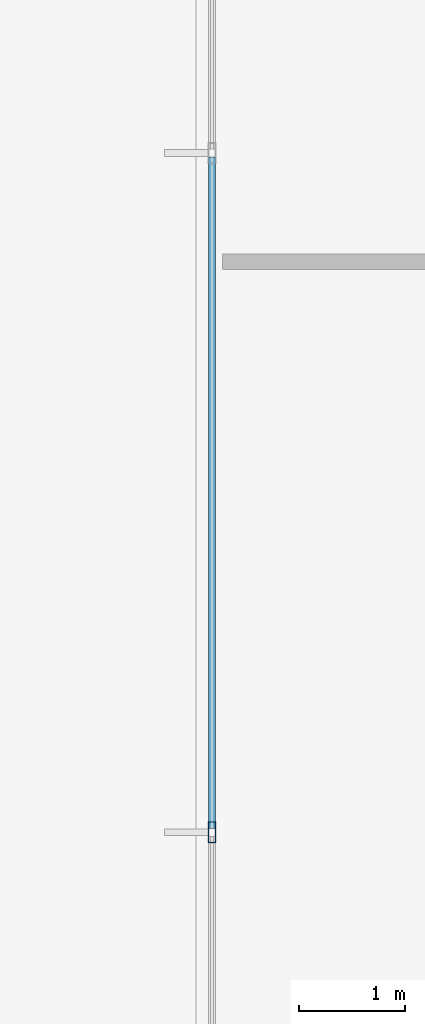
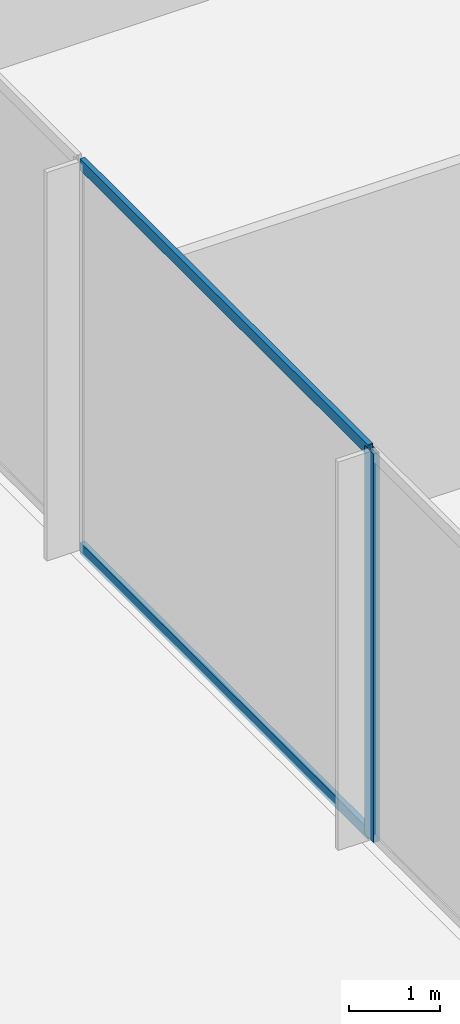
# One storey, part 9 of 38: 3 members, 1 element without a shape of its own.
"""IFC4 building model written with IfcOpenShell, lengths in metres."""

from ifc_helpers import new_model, si_unit, direction, frame, origin, origin_2d, place, context, subcontext, project, spatial, hollow_rectangle, extrude, material, layer, layer_set, material_profile, profile_set, type_object, element, aggregate, save


model = new_model("IFC4")

# Units and contexts
model_context = context("Model", 3, precision=1e-05, world=origin(), true_north=direction((0.0, 1.0)))
body_context = subcontext(model_context, "Body", "Model", "MODEL_VIEW")
ifc_project = project(units=[si_unit("LENGTHUNIT", "METRE"), si_unit("AREAUNIT", "SQUARE_METRE"), si_unit("VOLUMEUNIT", "CUBIC_METRE"), si_unit("PLANEANGLEUNIT", "RADIAN"), si_unit("MASSUNIT", "GRAM", prefix="KILO")], contexts=[model_context])

# Site, building, storey
site_placement = place(None, origin())
site = spatial("IfcSite", under=ifc_project, at=site_placement, CompositionType="ELEMENT")
building_placement = place(site_placement, origin())
building = spatial("IfcBuilding", under=site, at=building_placement, Name="Orvanel Arch Residences", CompositionType="ELEMENT")
storey_placement = place(building_placement, origin())
storey = spatial("IfcBuildingStorey", under=building, at=storey_placement, Name="L00", CompositionType="ELEMENT", Elevation=0.0)

# Curtain wall, members
ifc_material = material(Name="Bronze-anodised aluminium AA6063-T6", Category="aluminium")
ifc_layer = layer(ifc_material, 0.199951171875)
ifc_layer_set = layer_set([ifc_layer], Name="Bronze-anodised aluminium AA6063-T6")
curtain_wall_type = type_object("IfcCurtainWallType", Name="CW1-POD-SYS", PredefinedType="NOTDEFINED", material=ifc_layer_set)
curtain_wall_placement = place(storey_placement, origin())
curtain_wall = element("IfcCurtainWall", 1, at=curtain_wall_placement, inside=storey, type_object=curtain_wall_type, Name="L00 CW1-POD-SYS Unitised Curtain Wall", PredefinedType="NOTDEFINED")
ifc_material_profile_1 = material_profile(ifc_material, hollow_rectangle(XDim=0.074951171875, YDim=0.199951171875, WallThickness=0.0048828125, at=origin_2d()), Name="ALU200x75x5")
ifc_profile_set_1 = profile_set([ifc_material_profile_1], Name="Bronze-anodised aluminium AA6063-T6")
member_type_1 = type_object("IfcMemberType", Name="MUL-200x75", PredefinedType="MULLION", material=ifc_profile_set_1)
member_1_placement = place(storey_placement, frame((1.550048828125, 21.111328125, 0.0), z_axis=(0.0, 0.0, 1.0), x_axis=(1.0, 0.0, 0.0)))
member_1 = element("IfcMember", 2, at=member_1_placement, type_object=member_type_1, Name="CW-S1 mullion 6", PredefinedType="MULLION", context=body_context, shape_type="SweptSolid", body=[
    extrude(hollow_rectangle(XDim=0.074951171875, YDim=0.199951171875, WallThickness=0.0048828125, at=origin_2d()), origin(), (0.0, 0.0, 1.0), 5.219970703125),
])
ifc_material_profile_2 = material_profile(ifc_material, hollow_rectangle(XDim=0.06494140625, YDim=0.14990234375, WallThickness=0.00390625, at=origin_2d()), Name="ALU150x65x4")
ifc_profile_set_2 = profile_set([ifc_material_profile_2], Name="Bronze-anodised aluminium AA6063-T6")
member_type_2 = type_object("IfcMemberType", Name="TRN-150x65", PredefinedType="USERDEFINED", material=ifc_profile_set_2)
member_2_placement = place(storey_placement, frame((1.550048828125, 27.487548828125, 0.032470703125), z_axis=(0.0, -1.0, 0.0), x_axis=(1.0, 0.0, 0.0)))
member_2 = element("IfcMember", 3, at=member_2_placement, type_object=member_type_2, Name="CW-S1 transom 5.1", ObjectType="TRANSOM", PredefinedType="USERDEFINED", context=body_context, shape_type="SweptSolid", body=[
    extrude(hollow_rectangle(XDim=0.06494140625, YDim=0.14990234375, WallThickness=0.00390625, at=origin_2d()), origin(), (0.0, 0.0, 1.0), 6.3388671875),
])
member_3_placement = place(storey_placement, frame((1.550048828125, 27.487548828125, 5.1875), z_axis=(0.0, -1.0, 0.0), x_axis=(1.0, 0.0, 0.0)))
member_3 = element("IfcMember", 4, at=member_3_placement, type_object=member_type_2, Name="CW-S1 transom 5.2", ObjectType="TRANSOM", PredefinedType="USERDEFINED", context=body_context, shape_type="SweptSolid", body=[
    extrude(hollow_rectangle(XDim=0.06494140625, YDim=0.14990234375, WallThickness=0.00390625, at=origin_2d()), origin(), (0.0, 0.0, 1.0), 6.3388671875),
])
aggregate(curtain_wall, [member_1, member_2, member_3])

save(model, "model.ifc")
